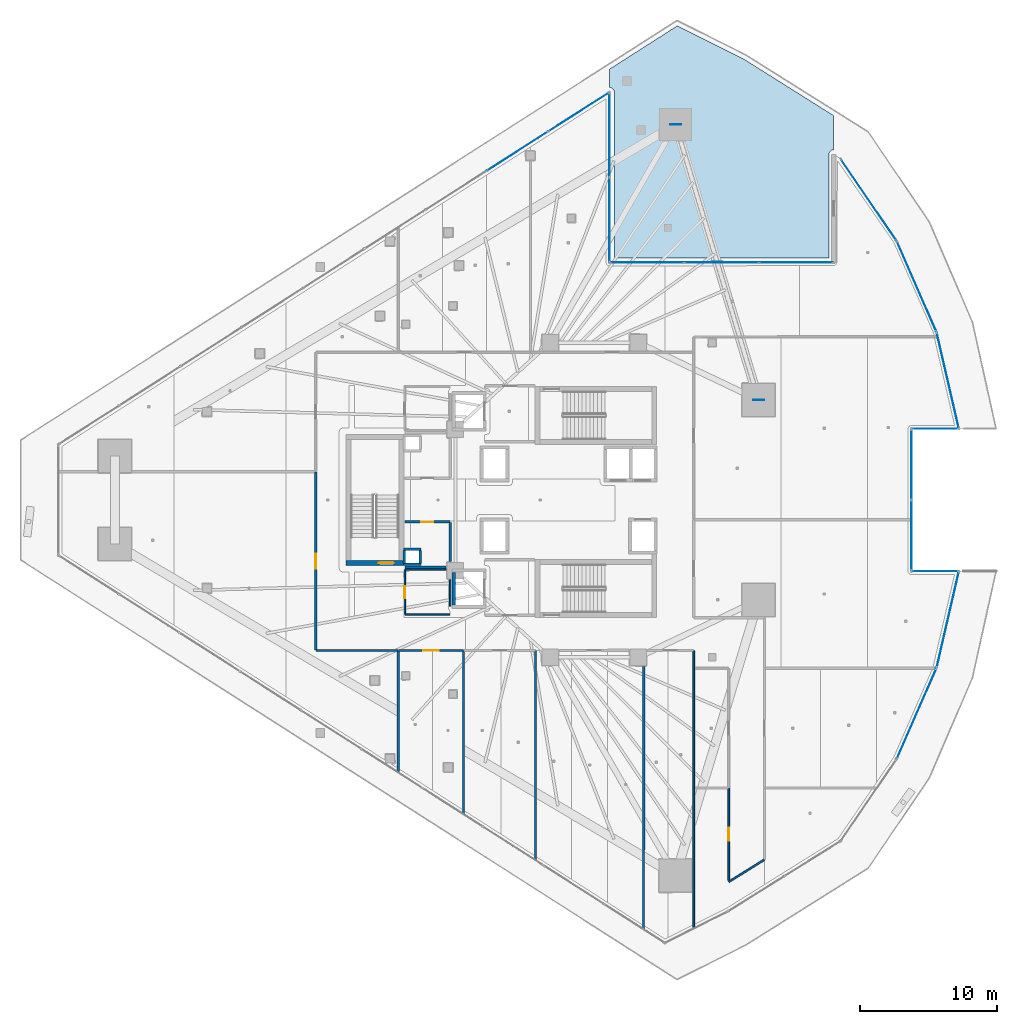
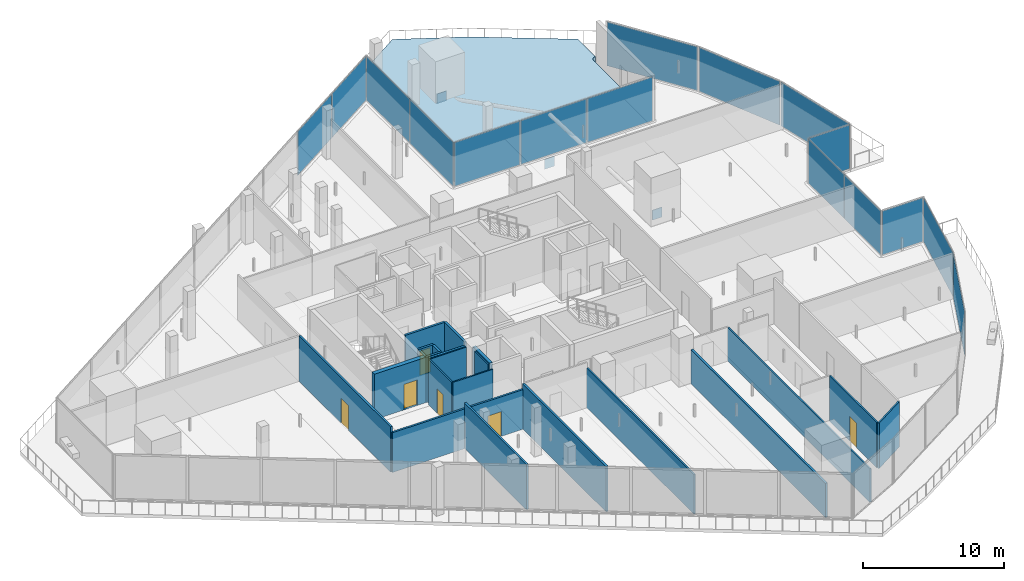
# One storey, part 28 of 44: 23 walls, 19 plates, 6 doors, 1 slab, 6 openings, 11 elements without a shape of their own.
"""IFC4 building model written with IfcOpenShell, lengths in metres."""

from ifc_helpers import new_model, si_unit, direction, frame, frame_2d, origin, origin_2d, place, context, subcontext, project, spatial, polyline, rectangle, outline, extrude, material, layer, layer_set, type_object, element, fill, aggregate, save


model = new_model("IFC4")

# Units and contexts
model_context = context("Model", 3, precision=1e-05, world=origin(), true_north=direction((0.0, 1.0)))
body_context = subcontext(model_context, "Body", "Model", "MODEL_VIEW")
ifc_project = project(units=[si_unit("LENGTHUNIT", "METRE"), si_unit("AREAUNIT", "SQUARE_METRE"), si_unit("VOLUMEUNIT", "CUBIC_METRE"), si_unit("PLANEANGLEUNIT", "RADIAN"), si_unit("MASSUNIT", "GRAM", prefix="KILO")], contexts=[model_context])

# Site, building, storey
site_placement = place(None, origin())
site = spatial("IfcSite", under=ifc_project, at=site_placement, CompositionType="ELEMENT")
building_placement = place(site_placement, origin())
building = spatial("IfcBuilding", under=site, at=building_placement, Name="Qorvath Tower", CompositionType="ELEMENT")
storey_placement = place(building_placement, frame((0.0, 0.0, 78.60009765625)))
storey = spatial("IfcBuildingStorey", under=building, at=storey_placement, Name="L17", CompositionType="ELEMENT", Elevation=78.60009765625)

# Curtain wall, plates
ifc_material_1 = material(Name="Anodised aluminium and triple low-E glass", Category="aluminium")
ifc_layer_1 = layer(ifc_material_1, 0.179931640625)
ifc_layer_set_1 = layer_set([ifc_layer_1], Name="CW-SYS-5")
curtain_wall_type = type_object("IfcCurtainWallType", Name="CW-SYS-5", PredefinedType="NOTDEFINED", material=ifc_layer_set_1)
curtain_wall_1_placement = place(storey_placement, origin())
curtain_wall_1 = element("IfcCurtainWall", 1, at=curtain_wall_1_placement, inside=storey, type_object=curtain_wall_type, Name="Curtain Wall CW-5 CW-T-L17-2.1", PredefinedType="NOTDEFINED")
ifc_material_2 = material(Name="Low-E triple insulated glass", Category="glass")
ifc_layer_2 = layer(ifc_material_2, 0.031982421875)
ifc_layer_set_2 = layer_set([ifc_layer_2], Name="CWP-GLZ-32")
plate_type_1 = type_object("IfcPlateType", Name="CWP-GLZ-32", PredefinedType="CURTAIN_PANEL", material=ifc_layer_set_2)
plate_1_placement = place(storey_placement, frame((-5.69873046875, 17.280029296875, 0.06494140625), z_axis=(0.0, 0.0, 1.0), x_axis=(-1.0, 0.0, 0.0)))
plate_1 = element("IfcPlate", 2, at=plate_1_placement, type_object=plate_type_1, Name="CW-5 panel 1.1", PredefinedType="CURTAIN_PANEL", context=body_context, shape_type="SweptSolid", body=[
    extrude(rectangle(XDim=5.327392578125, YDim=0.031982421875, at=origin_2d()), origin(), (0.0, 0.0, 1.0), 3.789794921875),
])
plate_2_placement = place(storey_placement, frame((-11.1201171875, 17.280029296875, 0.06494140625), z_axis=(0.0, 0.0, 1.0), x_axis=(-1.0, 0.0, 0.0)))
plate_2 = element("IfcPlate", 3, at=plate_2_placement, type_object=plate_type_1, Name="CW-5 panel 2.1", PredefinedType="CURTAIN_PANEL", context=body_context, shape_type="SweptSolid", body=[
    extrude(rectangle(XDim=5.364990234375, YDim=0.031982421875, at=origin_2d()), origin(), (0.0, 0.0, 1.0), 3.789794921875),
])
plate_3_placement = place(storey_placement, frame((-16.541259765625, 17.280029296875, 0.06494140625), z_axis=(0.0, 0.0, 1.0), x_axis=(-1.0, 0.0, 0.0)))
plate_3 = element("IfcPlate", 4, at=plate_3_placement, type_object=plate_type_1, Name="CW-5 panel 3.1", PredefinedType="CURTAIN_PANEL", context=body_context, shape_type="SweptSolid", body=[
    extrude(rectangle(XDim=5.327392578125, YDim=0.031982421875, at=origin_2d()), origin(), (0.0, 0.0, 1.0), 3.789794921875),
])
aggregate(curtain_wall_1, [plate_1, plate_2, plate_3])

curtain_wall_2_placement = place(storey_placement, origin())
curtain_wall_2 = element("IfcCurtainWall", 5, at=curtain_wall_2_placement, inside=storey, type_object=curtain_wall_type, Name="Curtain Wall CW-5 CW-T-L17-3.1", PredefinedType="NOTDEFINED")
plate_4_placement = place(storey_placement, frame((-19.280029296875, 20.396240234375, 0.06494140625), z_axis=(0.0, 0.0, 1.0), x_axis=(0.0, 1.0, 0.0)))
plate_4 = element("IfcPlate", 6, at=plate_4_placement, type_object=plate_type_1, Name="CW-5 panel 1.1", PredefinedType="CURTAIN_PANEL", context=body_context, shape_type="SweptSolid", body=[
    extrude(rectangle(XDim=6.082275390625, YDim=0.031982421875, at=origin_2d()), origin(), (0.0, 0.0, 1.0), 3.789794921875),
])
plate_5_placement = place(storey_placement, frame((-19.280029296875, 26.553466796875, 0.06494140625), z_axis=(0.0, 0.0, 1.0), x_axis=(0.0, 1.0, 0.0)))
plate_5 = element("IfcPlate", 7, at=plate_5_placement, type_object=plate_type_1, Name="CW-5 panel 2.1", PredefinedType="CURTAIN_PANEL", context=body_context, shape_type="SweptSolid", body=[
    extrude(rectangle(XDim=6.082275390625, YDim=0.031982421875, at=origin_2d()), origin(), (0.0, 0.0, 1.0), 3.789794921875),
])
aggregate(curtain_wall_2, [plate_4, plate_5])

curtain_wall_3_placement = place(storey_placement, origin())
curtain_wall_3 = element("IfcCurtainWall", 8, at=curtain_wall_3_placement, inside=storey, type_object=curtain_wall_type, Name="Curtain Wall CW-5 CW-T-L17-4.1", PredefinedType="NOTDEFINED")
plate_6_placement = place(storey_placement, frame((-21.5244140625, 28.235107421875, 0.06494140625), z_axis=(0.0, 0.0, 1.0), x_axis=(-0.842604180763, -0.538533373675, 0.0)))
plate_6 = element("IfcPlate", 9, at=plate_6_placement, type_object=plate_type_1, Name="CW-5 panel 1.1", PredefinedType="CURTAIN_PANEL", context=body_context, shape_type="SweptSolid", body=[
    extrude(rectangle(XDim=5.177490234375, YDim=0.031982421875, at=origin_2d()), origin(), (0.0, 0.0, 1.0), 3.789794921875),
])
plate_7_placement = place(storey_placement, frame((-25.966064453125, 25.396484375, 0.06494140625), z_axis=(0.0, 0.0, 1.0), x_axis=(-0.842604180763, -0.538533373675, 0.0)))
plate_7 = element("IfcPlate", 10, at=plate_7_placement, type_object=plate_type_1, Name="CW-5 panel 2.1", PredefinedType="CURTAIN_PANEL", context=body_context, shape_type="SweptSolid", body=[
    extrude(rectangle(XDim=5.21484375, YDim=0.031982421875, at=origin_2d()), origin(), (0.0, 0.0, 1.0), 3.789794921875),
])
aggregate(curtain_wall_3, [plate_6, plate_7])

# Curtain wall, plate
curtain_wall_4_placement = place(storey_placement, origin())
curtain_wall_4 = element("IfcCurtainWall", 11, at=curtain_wall_4_placement, inside=storey, type_object=curtain_wall_type, Name="Curtain Wall CW-5 CW-T-L17-10.1", PredefinedType="NOTDEFINED")
plate_8_placement = place(storey_placement, frame((3.07421875, -15.54296875, 0.06494140625), z_axis=(0.0, 0.0, 1.0), x_axis=(0.401375837231, 0.915913444211, 0.0)))
plate_8 = element("IfcPlate", 12, at=plate_8_placement, type_object=plate_type_1, Name="CW-5 panel 1.1", PredefinedType="CURTAIN_PANEL", context=body_context, shape_type="SweptSolid", body=[
    extrude(rectangle(XDim=7.08203125, YDim=0.031982421875, at=origin_2d()), origin(), (0.0, 0.0, 1.0), 3.789794921875),
])
aggregate(curtain_wall_4, [plate_8])

curtain_wall_5_placement = place(storey_placement, origin())
curtain_wall_5 = element("IfcCurtainWall", 13, at=curtain_wall_5_placement, inside=storey, type_object=curtain_wall_type, Name="Curtain Wall CW-5 CW-T-L17-11.1", PredefinedType="NOTDEFINED")
plate_9_placement = place(storey_placement, frame((5.3388671875, -8.70751953125, 0.06494140625), z_axis=(0.0, 0.0, 1.0), x_axis=(0.224871624887, 0.97438839911, 0.0)))
plate_9 = element("IfcPlate", 14, at=plate_9_placement, type_object=plate_type_1, Name="CW-5 panel 1.1", PredefinedType="CURTAIN_PANEL", context=body_context, shape_type="SweptSolid", body=[
    extrude(rectangle(XDim=7.08203125, YDim=0.031982421875, at=origin_2d()), origin(), (0.0, 0.0, 1.0), 3.789794921875),
])
aggregate(curtain_wall_5, [plate_9])

curtain_wall_6_placement = place(storey_placement, origin())
curtain_wall_6 = element("IfcCurtainWall", 15, at=curtain_wall_6_placement, inside=storey, type_object=curtain_wall_type, Name="Curtain Wall CW-5 CW-T-L17-12.1", PredefinedType="NOTDEFINED")
plate_10_placement = place(storey_placement, frame((4.423828125, -5.18408203125, 0.06494140625), z_axis=(0.0, 0.0, 1.0), x_axis=(-1.0, 0.0, 0.0)))
plate_10 = element("IfcPlate", 16, at=plate_10_placement, type_object=plate_type_1, Name="CW-5 panel 1.1", PredefinedType="CURTAIN_PANEL", context=body_context, shape_type="SweptSolid", body=[
    extrude(rectangle(XDim=3.30615234375, YDim=0.031982421875, at=origin_2d()), origin(), (0.0, 0.0, 1.0), 3.789794921875),
])
aggregate(curtain_wall_6, [plate_10])

# Curtain wall, plates
curtain_wall_7_placement = place(storey_placement, origin())
curtain_wall_7 = element("IfcCurtainWall", 17, at=curtain_wall_7_placement, inside=storey, type_object=curtain_wall_type, Name="Curtain Wall CW-5 CW-T-L17-13.1", PredefinedType="NOTDEFINED")
plate_11_placement = place(storey_placement, frame((2.69580078125, -2.5732421875, 0.06494140625), z_axis=(0.0, 0.0, 1.0), x_axis=(0.0, 1.0, 0.0)))
plate_11 = element("IfcPlate", 18, at=plate_11_placement, type_object=plate_type_1, Name="CW-5 panel 1.1", PredefinedType="CURTAIN_PANEL", context=body_context, shape_type="SweptSolid", body=[
    extrude(rectangle(XDim=5.071533203125, YDim=0.031982421875, at=origin_2d()), origin(), (0.0, 0.0, 1.0), 3.789794921875),
])
plate_12_placement = place(storey_placement, frame((2.69580078125, 2.5732421875, 0.06494140625), z_axis=(0.0, 0.0, 1.0), x_axis=(0.0, 1.0, 0.0)))
plate_12 = element("IfcPlate", 19, at=plate_12_placement, type_object=plate_type_1, Name="CW-5 panel 2.1", PredefinedType="CURTAIN_PANEL", context=body_context, shape_type="SweptSolid", body=[
    extrude(rectangle(XDim=5.071533203125, YDim=0.031982421875, at=origin_2d()), origin(), (0.0, 0.0, 1.0), 3.789794921875),
])
aggregate(curtain_wall_7, [plate_11, plate_12])

# Curtain wall, plate
curtain_wall_8_placement = place(storey_placement, origin())
curtain_wall_8 = element("IfcCurtainWall", 20, at=curtain_wall_8_placement, inside=storey, type_object=curtain_wall_type, Name="Curtain Wall CW-5 CW-T-L17-14.1", PredefinedType="NOTDEFINED")
plate_13_placement = place(storey_placement, frame((4.423828125, 5.18408203125, 0.06494140625), z_axis=(0.0, 0.0, 1.0), x_axis=(1.0, 0.0, 0.0)))
plate_13 = element("IfcPlate", 21, at=plate_13_placement, type_object=plate_type_1, Name="CW-5 panel 1.1", PredefinedType="CURTAIN_PANEL", context=body_context, shape_type="SweptSolid", body=[
    extrude(rectangle(XDim=3.30615234375, YDim=0.031982421875, at=origin_2d()), origin(), (0.0, 0.0, 1.0), 3.789794921875),
])
aggregate(curtain_wall_8, [plate_13])

curtain_wall_9_placement = place(storey_placement, origin())
curtain_wall_9 = element("IfcCurtainWall", 22, at=curtain_wall_9_placement, inside=storey, type_object=curtain_wall_type, Name="Curtain Wall CW-5 CW-T-L17-15.1", PredefinedType="NOTDEFINED")
plate_14_placement = place(storey_placement, frame((5.3388671875, 8.70751953125, 0.06494140625), z_axis=(0.0, 0.0, 1.0), x_axis=(-0.224871624887, 0.97438839911, 0.0)))
plate_14 = element("IfcPlate", 23, at=plate_14_placement, type_object=plate_type_1, Name="CW-5 panel 1.1", PredefinedType="CURTAIN_PANEL", context=body_context, shape_type="SweptSolid", body=[
    extrude(rectangle(XDim=7.08203125, YDim=0.031982421875, at=origin_2d()), origin(), (0.0, 0.0, 1.0), 3.789794921875),
])
aggregate(curtain_wall_9, [plate_14])

curtain_wall_10_placement = place(storey_placement, origin())
curtain_wall_10 = element("IfcCurtainWall", 24, at=curtain_wall_10_placement, inside=storey, type_object=curtain_wall_type, Name="Curtain Wall CW-5 CW-T-L17-16.1", PredefinedType="NOTDEFINED")
plate_15_placement = place(storey_placement, frame((3.07421875, 15.54296875, 0.06494140625), z_axis=(0.0, 0.0, 1.0), x_axis=(-0.401375837231, 0.915913444211, 0.0)))
plate_15 = element("IfcPlate", 25, at=plate_15_placement, type_object=plate_type_1, Name="CW-5 panel 1.1", PredefinedType="CURTAIN_PANEL", context=body_context, shape_type="SweptSolid", body=[
    extrude(rectangle(XDim=7.08203125, YDim=0.031982421875, at=origin_2d()), origin(), (0.0, 0.0, 1.0), 3.789794921875),
])
aggregate(curtain_wall_10, [plate_15])

curtain_wall_11_placement = place(storey_placement, origin())
curtain_wall_11 = element("IfcCurtainWall", 26, at=curtain_wall_11_placement, inside=storey, type_object=curtain_wall_type, Name="Curtain Wall CW-5 CW-T-L17-17.1", PredefinedType="NOTDEFINED")
plate_16_placement = place(storey_placement, frame((-0.416748046875, 21.84130859375, 0.06494140625), z_axis=(0.0, 0.0, 1.0), x_axis=(-0.563998211602, 0.825776009163, 0.0)))
plate_16 = element("IfcPlate", 27, at=plate_16_placement, type_object=plate_type_1, Name="CW-5 panel 1.1", PredefinedType="CURTAIN_PANEL", context=body_context, shape_type="SweptSolid", body=[
    extrude(rectangle(XDim=7.08251953125, YDim=0.031982421875, at=origin_2d()), origin(), (0.0, 0.0, 1.0), 3.789794921875),
])
aggregate(curtain_wall_11, [plate_16])

# Plates
ifc_material_3 = material(Name="Steel ASTM A572 Grade 50", Category="steel")
ifc_layer_3 = layer(ifc_material_3, 0.054931640625)
ifc_layer_set_3 = layer_set([ifc_layer_3], Name="PL-MBN1")
plate_type_2 = type_object("IfcPlateType", Name="PL-MBN1", PredefinedType="USERDEFINED", material=ifc_layer_set_3)
for number, where, z_axis, x_axis, name in (
    (28, (-11.447265625, 17.303466796875, -1.054931640625), (0.0, 0.0, 1.0), (1.0, 0.0, 0.0), "Brace Strut End Gusset Plate NDBG-130"),
    (29, (-8.430419921875, 7.2763671875, -0.425048828125), (0.0, 0.0, 1.0), (1.0, 0.0, 0.0), "Brace Strut End Gusset Plate NDBG-131"),
    (30, (-14.46435546875, 27.330810546875, -0.425048828125), (0.0, 0.0, 1.0), (1.0, 0.0, 0.0), "Brace Strut End Gusset Plate NDBG-133"),
):
    element("IfcPlate", number, at=place(storey_placement, frame(where, z_axis=z_axis, x_axis=x_axis)), inside=storey, type_object=plate_type_2, Name=name, ObjectType="GUSSET", PredefinedType="USERDEFINED", context=body_context, shape_type="SweptSolid", body=[
        extrude(rectangle(XDim=0.800048828125, YDim=0.054931640625, at=origin_2d()), origin(), (0.0, 0.0, 1.0), 0.85009765625),
    ])

# Slab
ifc_material_4 = material(Name="Precast concrete C45/55", Category="concrete")
ifc_layer_4 = layer(ifc_material_4, 0.60009765625)
ifc_layer_set_4 = layer_set([ifc_layer_4], Name="SL-PLN-600")
slab_type = type_object("IfcSlabType", Name="SL-PLN-600", PredefinedType="USERDEFINED", material=ifc_layer_set_4)
slab_placement = place(storey_placement, origin())
element("IfcSlab", 31, at=slab_placement, inside=storey, type_object=slab_type, Name="Sky Garden Planted Bed PLANTER L17", ObjectType="PLANTER", PredefinedType="USERDEFINED", context=body_context, shape_type="SweptSolid", body=[
    extrude(outline(polyline([(-2.9599609375, 27.970458984375), (-9.546875, 32.11328125), (-14.34130859375, 34.510498046875), (-19.280029296875, 31.35400390625), (-19.280029296875, 30.01953125), (-19.240966796875, 30.017578125), (-19.207275390625, 30.011962890625), (-19.142578125, 29.991455078125), (-19.082763671875, 29.958984375), (-19.03076171875, 29.915283203125), (-18.98779296875, 29.862548828125), (-18.9560546875, 29.802490234375), (-18.9365234375, 29.7373046875), (-18.929931640625, 29.669677734375), (-18.929931640625, 17.6298828125), (-3.31005859375, 17.6298828125), (-3.31005859375, 25.141845703125), (-3.303466796875, 25.209228515625), (-3.2841796875, 25.27392578125), (-3.252685546875, 25.333984375), (-3.210205078125, 25.386474609375), (-3.158447265625, 25.43017578125), (-3.099365234375, 25.462890625), (-3.034912109375, 25.483642578125), (-3.001708984375, 25.489501953125), (-2.9599609375, 25.49169921875), (-2.9599609375, 27.970458984375)])), origin(), (0.0, 0.0, 1.0), 0.599853515625),
])

# Walls
ifc_material_5 = material(Name="Gypsum shaftliner on steel studs", Category="steel")
ifc_layer_5 = layer(ifc_material_5, 0.179931640625)
ifc_layer_set_5 = layer_set([ifc_layer_5], Name="FW-LOBBY")
wall_type_1 = type_object("IfcWallType", Name="FW-LOBBY", PredefinedType="PARTITIONING", material=ifc_layer_set_5)
for number, where, z_axis, x_axis, name in (
    (32, (-32.989990234375, -4.675048828125, 0.0), (0.0, 0.0, 1.0), (-1.0, 0.0, 0.0), "MEP Riser Shaft Enclosure Wall S-L17-S"),
    (33, (-34.260009765625, -3.594970703125, 0.0), (0.0, 0.0, 1.0), (1.0, 0.0, 0.0), "MEP Riser Shaft Enclosure Wall S-L17-N"),
):
    element("IfcWall", number, at=place(storey_placement, frame(where, z_axis=z_axis, x_axis=x_axis)), inside=storey, type_object=wall_type_1, Name=name, PredefinedType="PARTITIONING", context=body_context, shape_type="SweptSolid", body=[
        extrude(rectangle(XDim=1.27001953125, YDim=0.179931640625, at=frame_2d((0.635009765625, 0.0))), origin(), (0.0, 0.0, 1.0), 3.919921875),
    ])
for number, where, z_axis, x_axis, name in (
    (34, (-34.205078125, -4.610107421875, 0.0), (0.0, 0.0, 1.0), (0.0, 1.0, 0.0), "MEP Riser Shaft Enclosure Wall S-L17-W"),
    (35, (-33.044921875, -3.659912109375, 0.0), (0.0, 0.0, 1.0), (0.0, -1.0, 0.0), "MEP Riser Shaft Enclosure Wall S-L17-E"),
):
    element("IfcWall", number, at=place(storey_placement, frame(where, z_axis=z_axis, x_axis=x_axis)), inside=storey, type_object=wall_type_1, Name=name, PredefinedType="PARTITIONING", context=body_context, shape_type="SweptSolid", body=[
        extrude(rectangle(XDim=0.9501953125, YDim=0.179931640625, at=frame_2d((0.47509765625, 0.0))), origin(), (0.0, 0.0, 1.0), 3.919921875),
    ])
wall_1_placement = place(storey_placement, frame((-34.15478515625, -4.89990234375, 0.0), z_axis=(0.0, 0.0, 1.0), x_axis=(1.0, 0.0, 0.0)))
element("IfcWall", 36, at=wall_1_placement, inside=storey, type_object=wall_type_1, Name="Interior Partition IW-T1-L17-016", PredefinedType="PARTITIONING", context=body_context, shape_type="SweptSolid", body=[
    extrude(rectangle(XDim=2.98974609375, YDim=0.179931640625, at=frame_2d((1.494873046875, 0.0))), origin(), (0.0, 0.0, 1.0), 3.919921875),
])
wall_2_placement = place(storey_placement, frame((-30.8798828125, -4.485107421875, 0.0), z_axis=(0.0, 0.0, 1.0), x_axis=(0.0, 1.0, 0.0)))
element("IfcWall", 37, at=wall_2_placement, inside=storey, type_object=wall_type_1, Name="Interior Partition IW-T1-L17-017", PredefinedType="PARTITIONING", context=body_context, shape_type="SweptSolid", body=[
    extrude(rectangle(XDim=2.860107421875, YDim=0.179931640625, at=frame_2d((1.43017578125, 0.0))), origin(), (0.0, 0.0, 1.0), 3.919921875),
])

# Wall, opening, door
wall_3_placement = place(storey_placement, frame((-30.90478515625, -1.60009765625, 0.0), z_axis=(0.0, 0.0, 1.0), x_axis=(-1.0, 0.0, 0.0)))
wall_3 = element("IfcWall", 38, at=wall_3_placement, inside=storey, type_object=wall_type_1, Name="Interior Partition IW-T1-L17-018", PredefinedType="PARTITIONING", context=body_context, shape_type="SweptSolid", body=[
    extrude(rectangle(XDim=3.25, YDim=0.179931640625, at=frame_2d((1.625, 0.0))), origin(), (0.0, 0.0, 1.0), 3.919921875),
])
opening_1_placement = place(wall_3_placement, frame((1.18505859375, 0.0, 0.0)))
opening_1 = element("IfcOpeningElement", 39, at=opening_1_placement, cuts=wall_3, Name="Opening D-T1-L17-04", PredefinedType="OPENING", context=body_context, shape_type="SweptSolid", body=[
    extrude(rectangle(XDim=0.8798828125, YDim=2.10009765625, at=frame_2d((0.43994140625, 1.050048828125))), frame((0.0, 0.10009765625, 0.0), z_axis=(0.0, -1.0, 0.0), x_axis=(1.0, 0.0, 0.0)), (0.0, 0.0, 1.0), 0.199951171875),
])
ifc_material_6 = material(Name="Painted galvanised hollow metal", Category="steel")
door_type_1 = type_object("IfcDoorType", Name="FD-60N", OperationType="NOTDEFINED", PredefinedType="DOOR", material=ifc_material_6)
door_1_placement = place(opening_1_placement, origin())
door_1 = element("IfcDoor", 40, at=door_1_placement, inside=storey, type_object=door_type_1, Name="Core electrical room L17 Door D-T1-L17-04", OperationType="SINGLE_SWING_RIGHT", OverallHeight=2.10009765625, OverallWidth=0.8798828125, PredefinedType="DOOR", context=body_context, shape_type="SweptSolid", body=[
    extrude(rectangle(XDim=0.8798828125, YDim=2.10009765625, at=frame_2d((0.43994140625, 1.050048828125))), frame((0.0, 0.02490234375, 0.0), z_axis=(0.0, -1.0, 0.0), x_axis=(1.0, 0.0, 0.0)), (0.0, 0.0, 1.0), 0.050048828125),
])
fill(opening_1, door_1)

ifc_material_7 = material(Name="Double acoustic gypsum board on steel studs", Category="steel")
ifc_layer_6 = layer(ifc_material_7, 0.159912109375)
ifc_layer_set_6 = layer_set([ifc_layer_6], Name="IW-ACOUSTIC-160")
wall_type_2 = type_object("IfcWallType", Name="IW-ACOUSTIC-160", PredefinedType="PARTITIONING", material=ifc_layer_set_6)
wall_4_placement = place(storey_placement, frame((-29.92138671875, -10.9580078125, 0.0), z_axis=(0.0, 0.0, 1.0), x_axis=(-1.0, 0.0, 0.0)))
wall_4 = element("IfcWall", 41, at=wall_4_placement, inside=storey, type_object=wall_type_2, Name="Interior Partition IW-T1-L17-025", PredefinedType="PARTITIONING", context=body_context, shape_type="SweptSolid", body=[
    extrude(rectangle(XDim=4.70361328125, YDim=0.159912109375, at=frame_2d((2.351806640625, 0.0))), origin(), (0.0, 0.0, 1.0), 3.432861328125),
])
opening_2_placement = place(wall_4_placement, frame((1.8017578125, 0.0, 0.0)))
opening_2 = element("IfcOpeningElement", 42, at=opening_2_placement, cuts=wall_4, Name="Opening D-T1-L17-07", PredefinedType="OPENING", context=body_context, shape_type="SweptSolid", body=[
    extrude(rectangle(XDim=1.10009765625, YDim=2.14990234375, at=frame_2d((0.550048828125, 1.074951171875))), frame((0.0, 0.08984375, 0.0), z_axis=(0.0, -1.0, 0.0), x_axis=(1.0, 0.0, 0.0)), (0.0, 0.0, 1.0), 0.179931640625),
])
ifc_material_8 = material(Name="Anodised aluminium acoustic framed glass", Category="aluminium")
door_type_2 = type_object("IfcDoorType", Name="D-03", OperationType="NOTDEFINED", PredefinedType="DOOR", material=ifc_material_8)
door_2_placement = place(opening_2_placement, origin())
door_2 = element("IfcDoor", 43, at=door_2_placement, inside=storey, type_object=door_type_2, Name="L17-03 Client Services Office Door D-T1-L17-07", OperationType="SINGLE_SWING_LEFT", OverallHeight=2.14990234375, OverallWidth=1.10009765625, PredefinedType="DOOR", context=body_context, shape_type="SweptSolid", body=[
    extrude(rectangle(XDim=1.10009765625, YDim=2.14990234375, at=frame_2d((0.550048828125, 1.074951171875))), frame((0.0, 0.02490234375, 0.0), z_axis=(0.0, -1.0, 0.0), x_axis=(1.0, 0.0, 0.0)), (0.0, 0.0, 1.0), 0.050048828125),
])
fill(opening_2, door_2)

# Walls
wall_5_placement = place(storey_placement, frame((-34.64990234375, -10.98291015625, 0.0), z_axis=(0.0, 0.0, 1.0), x_axis=(0.0, -1.0, 0.0)))
element("IfcWall", 44, at=wall_5_placement, inside=storey, type_object=wall_type_2, Name="Interior Partition IW-T1-L17-026", PredefinedType="PARTITIONING", context=body_context, shape_type="SweptSolid", body=[
    extrude(rectangle(XDim=8.783447265625, YDim=0.159912109375, at=frame_2d((4.3916015625, 0.0))), origin(), (0.0, 0.0, 1.0), 3.919921875),
])
wall_6_placement = place(storey_placement, frame((-29.896484375, -22.804443359375, 0.0), z_axis=(0.0, 0.0, 1.0), x_axis=(0.0, 1.0, 0.0)))
element("IfcWall", 45, at=wall_6_placement, inside=storey, type_object=wall_type_2, Name="Interior Partition IW-T1-L17-027", PredefinedType="PARTITIONING", context=body_context, shape_type="SweptSolid", body=[
    extrude(rectangle(XDim=11.821533203125, YDim=0.159912109375, at=frame_2d((5.91064453125, 0.0))), origin(), (0.0, 0.0, 1.0), 3.919921875),
])
wall_7_placement = place(storey_placement, frame((-16.800537109375, -31.17431640625, 0.0), z_axis=(0.0, 0.0, 1.0), x_axis=(0.001037569734, 0.999999461724, 0.0)))
element("IfcWall", 46, at=wall_7_placement, inside=storey, type_object=wall_type_2, Name="Interior Partition IW-T1-L17-031", PredefinedType="PARTITIONING", context=body_context, shape_type="SweptSolid", body=[
    extrude(rectangle(XDim=19.059326171875, YDim=0.159912109375, at=frame_2d((9.52978515625, 0.0))), origin(), (0.0, 0.0, 1.0), 2.956787109375),
])
wall_8_placement = place(storey_placement, frame((-40.633056640625, -10.9580078125, 0.0), z_axis=(0.0, 0.0, 1.0), x_axis=(1.0, 0.0, 0.0)))
element("IfcWall", 47, at=wall_8_placement, inside=storey, type_object=wall_type_2, Name="Interior Partition IW-T1-L17-048", PredefinedType="PARTITIONING", context=body_context, shape_type="SweptSolid", body=[
    extrude(rectangle(XDim=5.949951171875, YDim=0.159912109375, at=frame_2d((2.97509765625, 0.0))), origin(), (0.0, 0.0, 1.0), 3.432861328125),
])

# Wall, opening, door
wall_9_placement = place(storey_placement, frame((-40.657958984375, -10.93310546875, 0.0), z_axis=(0.0, 0.0, 1.0), x_axis=(0.0, 1.0, 0.0)))
wall_9 = element("IfcWall", 48, at=wall_9_placement, inside=storey, type_object=wall_type_2, Name="Interior Partition IW-T1-L17-049", PredefinedType="PARTITIONING", context=body_context, shape_type="SweptSolid", body=[
    extrude(rectangle(XDim=12.97021484375, YDim=0.159912109375, at=frame_2d((6.485107421875, 0.0))), origin(), (0.0, 0.0, 1.0), 3.919921875),
])
opening_3_placement = place(wall_9_placement, frame((5.93505859375, 0.0, 0.0)))
opening_3 = element("IfcOpeningElement", 49, at=opening_3_placement, cuts=wall_9, Name="Opening D-T1-L17-16", PredefinedType="OPENING", context=body_context, shape_type="SweptSolid", body=[
    extrude(rectangle(XDim=1.10009765625, YDim=2.14990234375, at=frame_2d((0.550048828125, 1.074951171875))), frame((0.0, 0.08984375, 0.0), z_axis=(0.0, -1.0, 0.0), x_axis=(1.0, 0.0, 0.0)), (0.0, 0.0, 1.0), 0.179931640625),
])
door_3_placement = place(opening_3_placement, origin())
door_3 = element("IfcDoor", 50, at=door_3_placement, inside=storey, type_object=door_type_2, Name="L17-12 Enclosed Conference Suite Door D-T1-L17-16", OperationType="SINGLE_SWING_RIGHT", OverallHeight=2.14990234375, OverallWidth=1.10009765625, PredefinedType="DOOR", context=body_context, shape_type="SweptSolid", body=[
    extrude(rectangle(XDim=1.10009765625, YDim=2.14990234375, at=frame_2d((0.550048828125, 1.074951171875))), frame((0.0, 0.02490234375, 0.0), z_axis=(0.0, -1.0, 0.0), x_axis=(1.0, 0.0, 0.0)), (0.0, 0.0, 1.0), 0.050048828125),
])
fill(opening_3, door_3)

# Walls
ifc_material_9 = material(Name="Gypsum board on metal studs with mineral wool", Category="gypsum")
ifc_layer_7 = layer(ifc_material_9, 0.125)
ifc_layer_set_7 = layer_set([ifc_layer_7], Name="IW-PART-125")
wall_type_3 = type_object("IfcWallType", Name="IW-PART-125", PredefinedType="PARTITIONING", material=ifc_layer_set_7)
wall_10_placement = place(storey_placement, frame((-24.666748046875, -26.14697265625, 0.0), z_axis=(0.0, 0.0, 1.0), x_axis=(0.0, 1.0, 0.0)))
element("IfcWall", 51, at=wall_10_placement, inside=storey, type_object=wall_type_3, Name="Interior Partition IW-T1-L17-028", PredefinedType="PARTITIONING", context=body_context, shape_type="SweptSolid", body=[
    extrude(rectangle(XDim=15.1640625, YDim=0.125, at=frame_2d((7.58203125, 0.0))), origin(), (0.0, 0.0, 1.0), 3.432861328125),
])
wall_11_placement = place(storey_placement, frame((-13.14990234375, -31.113037109375, 0.0), z_axis=(0.0, 0.0, 1.0), x_axis=(0.0, 1.0, 0.0)))
element("IfcWall", 52, at=wall_11_placement, inside=storey, type_object=wall_type_3, Name="Interior Partition IW-T1-L17-032", PredefinedType="PARTITIONING", context=body_context, shape_type="SweptSolid", body=[
    extrude(rectangle(XDim=20.130126953125, YDim=0.125, at=frame_2d((10.06494140625, 0.0))), origin(), (0.0, 0.0, 1.0), 2.889892578125),
])
wall_12_placement = place(storey_placement, frame((-10.586669921875, -27.791748046875, 0.0), z_axis=(0.0, 0.0, 1.0), x_axis=(0.848183593327, 0.529702361718, 0.0)))
element("IfcWall", 53, at=wall_12_placement, inside=storey, type_object=wall_type_3, Name="Interior Partition IW-T1-L17-036", PredefinedType="PARTITIONING", context=body_context, shape_type="SweptSolid", body=[
    extrude(rectangle(XDim=3.0341796875, YDim=0.125, at=frame_2d((1.51708984375, 0.0))), origin(), (0.0, 0.0, 1.0), 3.919921875),
])

# Wall, opening, door
wall_13_placement = place(storey_placement, frame((-10.60791015625, -20.990478515625, 0.0), z_axis=(0.0, 0.0, 1.0), x_axis=(0.0, -1.0, 0.0)))
wall_13 = element("IfcWall", 54, at=wall_13_placement, inside=storey, type_object=wall_type_3, Name="Interior Partition IW-T1-L17-037", PredefinedType="PARTITIONING", context=body_context, shape_type="SweptSolid", body=[
    extrude(rectangle(XDim=6.689208984375, YDim=0.125, at=frame_2d((3.3447265625, 0.0))), origin(), (0.0, 0.0, 1.0), 3.919921875),
])
opening_4_placement = place(wall_13_placement, frame((2.86962890625, 0.0, 0.0)))
opening_4 = element("IfcOpeningElement", 55, at=opening_4_placement, cuts=wall_13, Name="Opening D-T1-L17-11", PredefinedType="OPENING", context=body_context, shape_type="SweptSolid", body=[
    extrude(rectangle(XDim=0.949951171875, YDim=2.14990234375, at=frame_2d((0.47509765625, 1.074951171875))), frame((0.0, 0.072509765625, 0.0), z_axis=(0.0, -1.0, 0.0), x_axis=(1.0, 0.0, 0.0)), (0.0, 0.0, 1.0), 0.14501953125),
])
ifc_material_10 = material(Name="Solid-core American white oak veneer", Category="wood")
door_type_3 = type_object("IfcDoorType", Name="D-01", OperationType="NOTDEFINED", PredefinedType="DOOR", material=ifc_material_10)
door_4_placement = place(opening_4_placement, origin())
door_4 = element("IfcDoor", 56, at=door_4_placement, inside=storey, type_object=door_type_3, Name="L17-07 Breakout Reading Alcove Door D-T1-L17-11", OperationType="SINGLE_SWING_LEFT", OverallHeight=2.14990234375, OverallWidth=0.949951171875, PredefinedType="DOOR", context=body_context, shape_type="SweptSolid", body=[
    extrude(rectangle(XDim=0.949951171875, YDim=2.14990234375, at=frame_2d((0.47509765625, 1.074951171875))), frame((0.0, 0.02490234375, 0.0), z_axis=(0.0, -1.0, 0.0), x_axis=(1.0, 0.0, 0.0)), (0.0, 0.0, 1.0), 0.050048828125),
])
fill(opening_4, door_4)

# Walls
ifc_material_11 = material(Name="Moisture-resistant cement board on metal studs", Category="gypsum")
ifc_layer_8 = layer(ifc_material_11, 0.110107421875)
ifc_layer_set_8 = layer_set([ifc_layer_8], Name="IW-WC-110")
wall_type_4 = type_object("IfcWallType", Name="IW-WC-110", PredefinedType="PARTITIONING", material=ifc_layer_set_8)
wall_14_placement = place(storey_placement, frame((-34.15478515625, -8.35009765625, 0.0), z_axis=(0.0, 0.0, 1.0), x_axis=(1.0, 0.0, 0.0)))
element("IfcWall", 57, at=wall_14_placement, inside=storey, type_object=wall_type_4, Name="Interior Partition IW-T1-L17-009", PredefinedType="PARTITIONING", context=body_context, shape_type="SweptSolid", body=[
    extrude(rectangle(XDim=3.25, YDim=0.110107421875, at=frame_2d((1.625, 0.0))), origin(), (0.0, 0.0, 1.0), 3.919921875),
])
wall_15_placement = place(storey_placement, frame((-30.8798828125, -7.742919921875, 0.0), z_axis=(0.0, 0.0, 1.0), x_axis=(0.0, 1.0, 0.0)))
element("IfcWall", 58, at=wall_15_placement, inside=storey, type_object=wall_type_4, Name="Interior Partition IW-T1-L17-010", PredefinedType="PARTITIONING", context=body_context, shape_type="SweptSolid", body=[
    extrude(rectangle(XDim=1.927978515625, YDim=0.110107421875, at=frame_2d((0.9638671875, 0.0))), origin(), (0.0, 0.0, 1.0), 3.919921875),
])
wall_16_placement = place(storey_placement, frame((-31.1650390625, -5.050048828125, 0.0), z_axis=(0.0, 0.0, 1.0), x_axis=(-1.0, 0.0, 0.0)))
element("IfcWall", 59, at=wall_16_placement, inside=storey, type_object=wall_type_4, Name="Interior Partition IW-T1-L17-011", PredefinedType="PARTITIONING", context=body_context, shape_type="SweptSolid", body=[
    extrude(rectangle(XDim=2.98974609375, YDim=0.110107421875, at=frame_2d((1.494873046875, 0.0))), origin(), (0.0, 0.0, 1.0), 3.919921875),
])

# Wall, opening, door
wall_17_placement = place(storey_placement, frame((-34.179931640625, -5.074951171875, 0.0), z_axis=(0.0, 0.0, 1.0), x_axis=(0.0, -1.0, 0.0)))
wall_17 = element("IfcWall", 60, at=wall_17_placement, inside=storey, type_object=wall_type_4, Name="Interior Partition IW-T1-L17-012", PredefinedType="PARTITIONING", context=body_context, shape_type="SweptSolid", body=[
    extrude(rectangle(XDim=3.250244140625, YDim=0.110107421875, at=frame_2d((1.625, 0.0))), origin(), (0.0, 0.0, 1.0), 3.919921875),
])
opening_5_placement = place(wall_17_placement, frame((1.18505859375, 0.0, 0.0)))
opening_5 = element("IfcOpeningElement", 61, at=opening_5_placement, cuts=wall_17, Name="Opening D-T1-L17-02", PredefinedType="OPENING", context=body_context, shape_type="SweptSolid", body=[
    extrude(rectangle(XDim=0.8798828125, YDim=2.10009765625, at=frame_2d((0.43994140625, 1.050048828125))), frame((0.0, 0.06494140625, 0.0), z_axis=(0.0, -1.0, 0.0), x_axis=(1.0, 0.0, 0.0)), (0.0, 0.0, 1.0), 0.130126953125),
])
ifc_material_12 = material(Name="Solid-core oak with acoustic drop seal", Category="wood")
door_type_4 = type_object("IfcDoorType", Name="D-02", OperationType="NOTDEFINED", PredefinedType="DOOR", material=ifc_material_12)
door_5_placement = place(opening_5_placement, origin())
door_5 = element("IfcDoor", 62, at=door_5_placement, inside=storey, type_object=door_type_4, Name="Accessible WC South L17 Door D-T1-L17-02", OperationType="SINGLE_SWING_RIGHT", OverallHeight=2.10009765625, OverallWidth=0.8798828125, PredefinedType="DOOR", context=body_context, shape_type="SweptSolid", body=[
    extrude(rectangle(XDim=0.8798828125, YDim=2.10009765625, at=frame_2d((0.43994140625, 1.050048828125))), frame((0.0, 0.02490234375, 0.0), z_axis=(0.0, -1.0, 0.0), x_axis=(1.0, 0.0, 0.0)), (0.0, 0.0, 1.0), 0.050048828125),
])
fill(opening_5, door_5)

# Wall
ifc_material_13 = material(Name="Concrete C60/75", Category="concrete")
ifc_layer_9 = layer(ifc_material_13, 0.260009765625)
ifc_layer_set_9 = layer_set([ifc_layer_9], Name="SW-SHAFT")
wall_type_5 = type_object("IfcWallType", Name="SW-SHAFT", PredefinedType="SHEAR", material=ifc_layer_set_9)
wall_18_placement = place(storey_placement, frame((-30.6201171875, -7.637939453125, 0.0), z_axis=(0.0, 0.0, 1.0), x_axis=(0.0, 1.0, 0.0)))
element("IfcWall", 63, at=wall_18_placement, inside=storey, type_object=wall_type_5, Name="Hoistway Wall FSAE-2 L17 W", PredefinedType="SHEAR", context=body_context, shape_type="SweptSolid", body=[
    extrude(rectangle(XDim=2.3759765625, YDim=0.239990234375, at=frame_2d((1.18798828125, 0.0))), origin(), (0.0, 0.0, 1.0), 3.919921875),
])

# Wall, opening, door
ifc_material_14 = material(Name="Concrete C60/75", Category="concrete")
ifc_layer_10 = layer(ifc_material_14, 0.35009765625)
ifc_layer_set_10 = layer_set([ifc_layer_10], Name="SW-STAIR")
wall_type_6 = type_object("IfcWallType", Name="SW-STAIR", PredefinedType="SHEAR", material=ifc_layer_set_10)
wall_19_placement = place(storey_placement, frame((-38.4599609375, -4.574951171875, 0.0), z_axis=(0.0, 0.0, 1.0), x_axis=(1.0, 0.0, 0.0)))
wall_19 = element("IfcWall", 64, at=wall_19_placement, inside=storey, type_object=wall_type_6, Name="Stair TS3 Shear Wall L17 NEAR", PredefinedType="SHEAR", context=body_context, shape_type="SweptSolid", body=[
    extrude(rectangle(XDim=4.2099609375, YDim=0.35009765625, at=frame_2d((2.10498046875, 0.0))), origin(), (0.0, 0.0, 1.0), 3.919921875),
])
opening_6_placement = place(wall_19_placement, frame((2.389892578125, 0.0, 0.0)))
opening_6 = element("IfcOpeningElement", 65, at=opening_6_placement, cuts=wall_19, Name="Opening D-TS3-L17", PredefinedType="OPENING", context=body_context, shape_type="SweptSolid", body=[
    extrude(rectangle(XDim=1.10009765625, YDim=2.199951171875, at=frame_2d((0.550048828125, 1.10009765625))), frame((0.0, 0.18505859375, 0.0), z_axis=(0.0, -1.0, 0.0), x_axis=(1.0, 0.0, 0.0)), (0.0, 0.0, 1.0), 0.3701171875),
])
ifc_material_15 = material(Name="Painted galvanised hollow metal", Category="steel")
door_type_5 = type_object("IfcDoorType", Name="FD-90", OperationType="NOTDEFINED", PredefinedType="DOOR", material=ifc_material_15)
door_6_placement = place(opening_6_placement, origin())
door_6 = element("IfcDoor", 66, at=door_6_placement, inside=storey, type_object=door_type_5, Name="Stair TS3 Fire Door L17", OperationType="SINGLE_SWING_RIGHT", OverallHeight=2.199951171875, OverallWidth=1.10009765625, PredefinedType="DOOR", context=body_context, shape_type="SweptSolid", body=[
    extrude(rectangle(XDim=1.10009765625, YDim=2.199951171875, at=frame_2d((0.550048828125, 1.10009765625))), frame((0.0, 0.02490234375, 0.0), z_axis=(0.0, -1.0, 0.0), x_axis=(1.0, 0.0, 0.0)), (0.0, 0.0, 1.0), 0.050048828125),
])
fill(opening_6, door_6)

save(model, "model.ifc")
